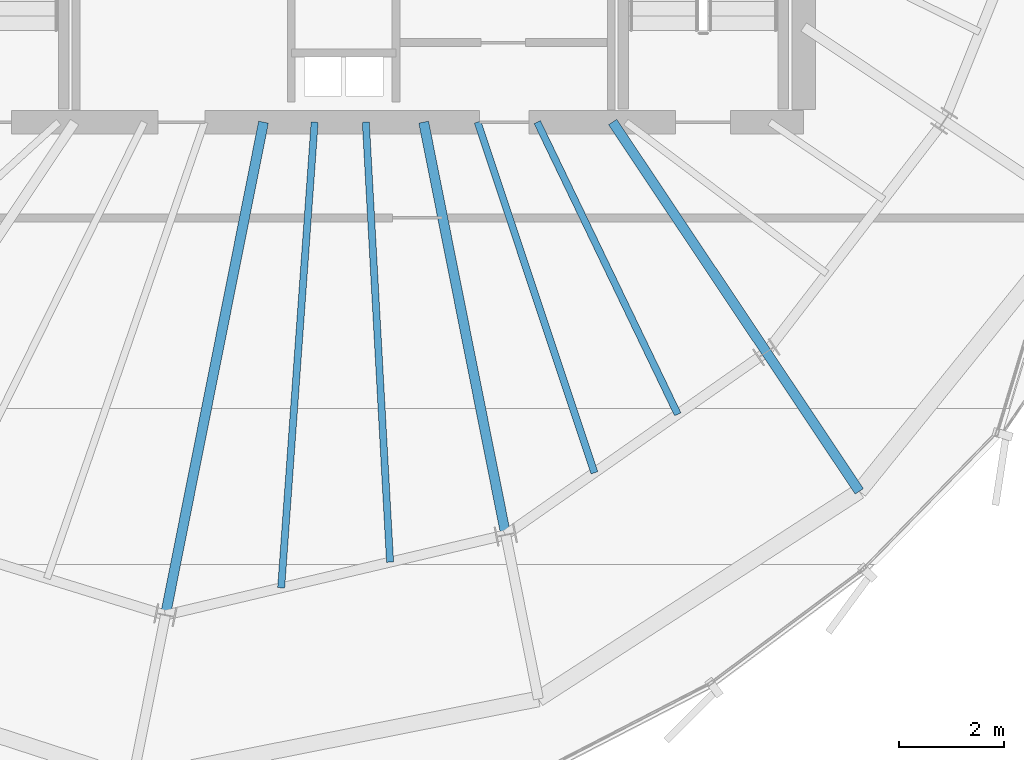
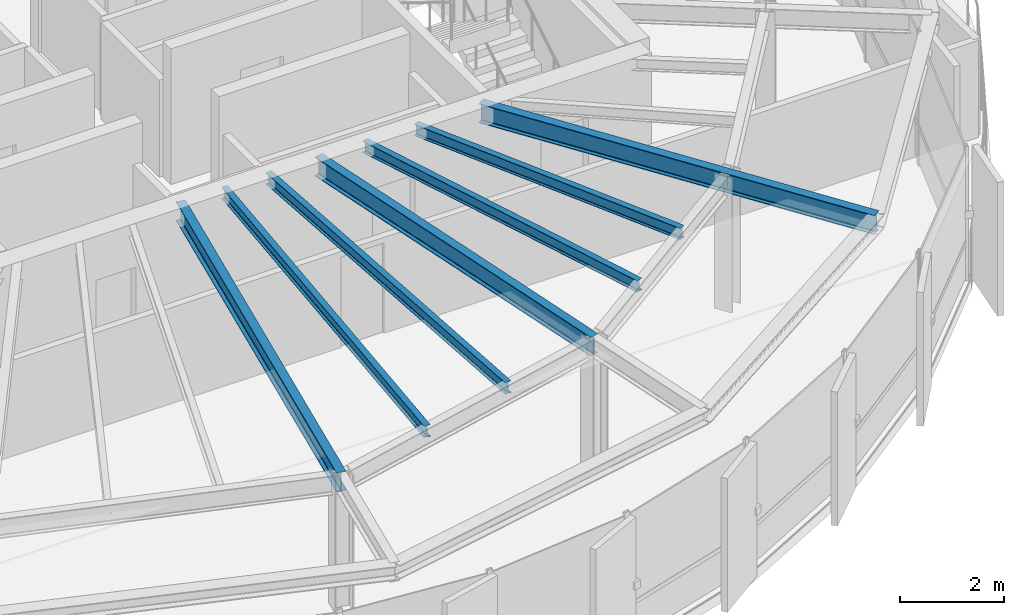
# One storey, part 8 of 31: 8 beams.
"""IFC4 building model written with IfcOpenShell, lengths in metres."""

from ifc_helpers import new_model, si_unit, direction, frame, origin, origin_2d, place, context, subcontext, project, spatial, i_section, extrude, source, transform, mapped, material, material_profile, profile_set, type_object, element, save


model = new_model("IFC4")

# Units and contexts
model_context = context("Model", 3, precision=1e-05, world=origin(), true_north=direction((0.0, 1.0)))
body_context = subcontext(model_context, "Body", "Model", "MODEL_VIEW")
ifc_project = project(units=[si_unit("LENGTHUNIT", "METRE"), si_unit("AREAUNIT", "SQUARE_METRE"), si_unit("VOLUMEUNIT", "CUBIC_METRE"), si_unit("PLANEANGLEUNIT", "RADIAN"), si_unit("MASSUNIT", "GRAM", prefix="KILO"), si_unit("THERMODYNAMICTEMPERATUREUNIT", "KELVIN")], contexts=[model_context])

# Site, building, storey
site_placement = place(None, origin())
site = spatial("IfcSite", under=ifc_project, at=site_placement, CompositionType="ELEMENT")
building_placement = place(site_placement, origin())
building = spatial("IfcBuilding", under=site, at=building_placement, Name="Kethvar Cultural Tower", CompositionType="ELEMENT")
storey_placement = place(building_placement, frame((0.0, 0.0, 300.85009765625)))
storey = spatial("IfcBuildingStorey", under=building, at=storey_placement, Name="L80", CompositionType="ELEMENT", Elevation=300.85009765625)

# Beams
ifc_material = material(Name="Steel S355J2", Category="steel")
ifc_material_profile_1 = material_profile(ifc_material, i_section(OverallWidth=0.18994140625, OverallDepth=0.449951171875, WebThickness=0.009521484375, FlangeThickness=0.0146484375, FilletRadius=0.02099609375, at=origin_2d()), Name="Steel S355J2 — IPE450")
ifc_profile_set_1 = profile_set([ifc_material_profile_1], Name="Steel S355J2 — IPE450")
beam_type_1 = type_object("IfcBeamType", Name="BM-IPE450", PredefinedType="BEAM", material=ifc_profile_set_1)
shared_shape_1 = source(origin(), body_context, "Body", "SweptSolid", [
    extrude(i_section(OverallWidth=0.18994140625, OverallDepth=0.449951171875, WebThickness=0.009521484375, FlangeThickness=0.0146484375, FilletRadius=0.02099609375, at=origin_2d()), origin(), (0.0, 0.0, 1.0), 3.199951171875),
])
beam_1_placement = place(storey_placement, frame((54.885009765625, 15.7001953125, 2.9580078125), z_axis=(0.555492222339, -0.83152173208, 0.0), x_axis=(0.83152173208, 0.555492222339, 0.0)))
element("IfcBeam", 1, at=beam_1_placement, inside=storey, type_object=beam_type_1, Name="L80 Perimeter Cantilever Beam RC-14", PredefinedType="BEAM", context=body_context, shape_type="MappedRepresentation", body=[
    mapped(shared_shape_1, transform((0.0, 0.0, 0.0), scale=1.0)),
])
shared_shape_2 = source(origin(), body_context, "Body", "SweptSolid", [
    extrude(i_section(OverallWidth=0.18994140625, OverallDepth=0.449951171875, WebThickness=0.009521484375, FlangeThickness=0.0146484375, FilletRadius=0.02099609375, at=origin_2d()), origin(), (0.0, 0.0, 1.0), 9.613525390625),
])
beam_2_placement = place(storey_placement, frame((45.268310546875, 20.10009765625, 2.9580078125), z_axis=(-0.195090428816, -0.980785259159, 0.0), x_axis=(0.980785259159, -0.195090428816, 0.0)))
element("IfcBeam", 2, at=beam_2_placement, inside=storey, type_object=beam_type_1, Name="L80 Primary Radial Beam RB-12", PredefinedType="BEAM", context=body_context, shape_type="MappedRepresentation", body=[
    mapped(shared_shape_2, transform((0.0, 0.0, 0.0), scale=1.0)),
])
shared_shape_3 = source(origin(), body_context, "Body", "SweptSolid", [
    extrude(i_section(OverallWidth=0.18994140625, OverallDepth=0.449951171875, WebThickness=0.009521484375, FlangeThickness=0.0146484375, FilletRadius=0.02099609375, at=origin_2d()), origin(), (0.0, 0.0, 1.0), 8.0478515625),
])
beam_3_placement = place(storey_placement, frame((48.33154296875, 20.10009765625, 2.9580078125), z_axis=(0.195089278796, -0.980785487912, 0.0), x_axis=(0.980785487912, 0.195089278796, 0.0)))
element("IfcBeam", 3, at=beam_3_placement, inside=storey, type_object=beam_type_1, Name="L80 Primary Radial Beam RB-13", PredefinedType="BEAM", context=body_context, shape_type="MappedRepresentation", body=[
    mapped(shared_shape_3, transform((0.0, 0.0, 0.0), scale=1.0)),
])
shared_shape_4 = source(origin(), body_context, "Body", "SweptSolid", [
    extrude(i_section(OverallWidth=0.18994140625, OverallDepth=0.449951171875, WebThickness=0.009521484375, FlangeThickness=0.0146484375, FilletRadius=0.02099609375, at=origin_2d()), origin(), (0.0, 0.0, 1.0), 5.291748046875),
])
beam_4_placement = place(storey_placement, frame((51.945068359375, 20.10009765625, 2.9580078125), z_axis=(0.555572931011, -0.831467809556, 0.0), x_axis=(0.831467809556, 0.555572931011, 0.0)))
element("IfcBeam", 4, at=beam_4_placement, inside=storey, type_object=beam_type_1, Name="L80 Primary Radial Beam RB-14", PredefinedType="BEAM", context=body_context, shape_type="MappedRepresentation", body=[
    mapped(shared_shape_4, transform((0.0, 0.0, 0.0), scale=1.0)),
])
ifc_material_profile_2 = material_profile(ifc_material, i_section(OverallWidth=0.135009765625, OverallDepth=0.27001953125, WebThickness=0.006591796875, FlangeThickness=0.01025390625, FilletRadius=0.014892578125, at=origin_2d()), Name="Steel S355J2 — IPE270")
ifc_profile_set_2 = profile_set([ifc_material_profile_2], Name="Steel S355J2 — IPE270")
beam_type_2 = type_object("IfcBeamType", Name="BM-J270", PredefinedType="JOIST", material=ifc_profile_set_2)
shared_shape_5 = source(origin(), body_context, "Body", "SweptSolid", [
    extrude(i_section(OverallWidth=0.135009765625, OverallDepth=0.27001953125, WebThickness=0.006591796875, FlangeThickness=0.01025390625, FilletRadius=0.014892578125, at=origin_2d()), origin(), (0.0, 0.0, 1.0), 8.9296875),
])
beam_5_placement = place(storey_placement, frame((46.246337890625, 20.10009765625, 3.0478515625), z_axis=(-0.071713352262, -0.99742528297, 0.0), x_axis=(0.99742528297, -0.071713352262, 0.0)))
element("IfcBeam", 5, at=beam_5_placement, inside=storey, type_object=beam_type_2, Name="L80 Composite Floor Joist J-12A", PredefinedType="JOIST", context=body_context, shape_type="MappedRepresentation", body=[
    mapped(shared_shape_5, transform((0.0, 0.0, 0.0), scale=1.0)),
])
shared_shape_6 = source(origin(), body_context, "Body", "SweptSolid", [
    extrude(i_section(OverallWidth=0.135009765625, OverallDepth=0.27001953125, WebThickness=0.006591796875, FlangeThickness=0.01025390625, FilletRadius=0.014892578125, at=origin_2d()), origin(), (0.0, 0.0, 1.0), 8.427978515625),
])
beam_6_placement = place(storey_placement, frame((47.224609375, 20.10009765625, 3.0478515625), z_axis=(0.055067321535, -0.998482643865, 0.0), x_axis=(0.998482643865, 0.055067321535, 0.0)))
element("IfcBeam", 6, at=beam_6_placement, inside=storey, type_object=beam_type_2, Name="L80 Composite Floor Joist J-12B", PredefinedType="JOIST", context=body_context, shape_type="MappedRepresentation", body=[
    mapped(shared_shape_6, transform((0.0, 0.0, 0.0), scale=1.0)),
])
shared_shape_7 = source(origin(), body_context, "Body", "SweptSolid", [
    extrude(i_section(OverallWidth=0.135009765625, OverallDepth=0.27001953125, WebThickness=0.006591796875, FlangeThickness=0.01025390625, FilletRadius=0.014892578125, at=origin_2d()), origin(), (0.0, 0.0, 1.0), 7.0673828125),
])
beam_7_placement = place(storey_placement, frame((49.363525390625, 20.10009765625, 3.0478515625), z_axis=(0.315875389768, -0.948800684095, 0.0), x_axis=(0.948800684095, 0.315875389768, 0.0)))
element("IfcBeam", 7, at=beam_7_placement, inside=storey, type_object=beam_type_2, Name="L80 Composite Floor Joist J-13A", PredefinedType="JOIST", context=body_context, shape_type="MappedRepresentation", body=[
    mapped(shared_shape_7, transform((0.0, 0.0, 0.0), scale=1.0)),
])
shared_shape_8 = source(origin(), body_context, "Body", "SweptSolid", [
    extrude(i_section(OverallWidth=0.135009765625, OverallDepth=0.27001953125, WebThickness=0.006591796875, FlangeThickness=0.01025390625, FilletRadius=0.014892578125, at=origin_2d()), origin(), (0.0, 0.0, 1.0), 6.2001953125),
])
beam_8_placement = place(storey_placement, frame((50.50341796875, 20.10009765625, 3.0478515625), z_axis=(0.433410678328, -0.901196529017, 0.0), x_axis=(0.901196529017, 0.433410678328, 0.0)))
element("IfcBeam", 8, at=beam_8_placement, inside=storey, type_object=beam_type_2, Name="L80 Composite Floor Joist J-13B", PredefinedType="JOIST", context=body_context, shape_type="MappedRepresentation", body=[
    mapped(shared_shape_8, transform((0.0, 0.0, 0.0), scale=1.0)),
])

save(model, "model.ifc")
